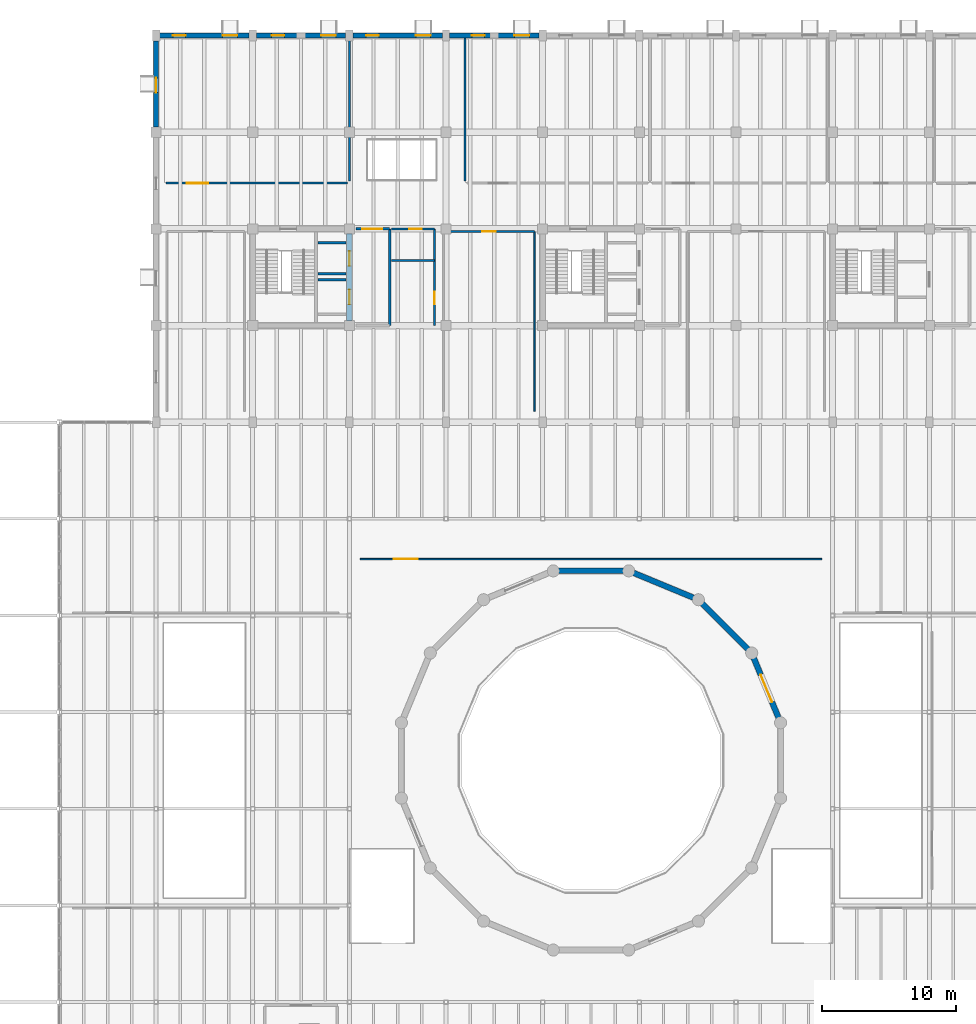
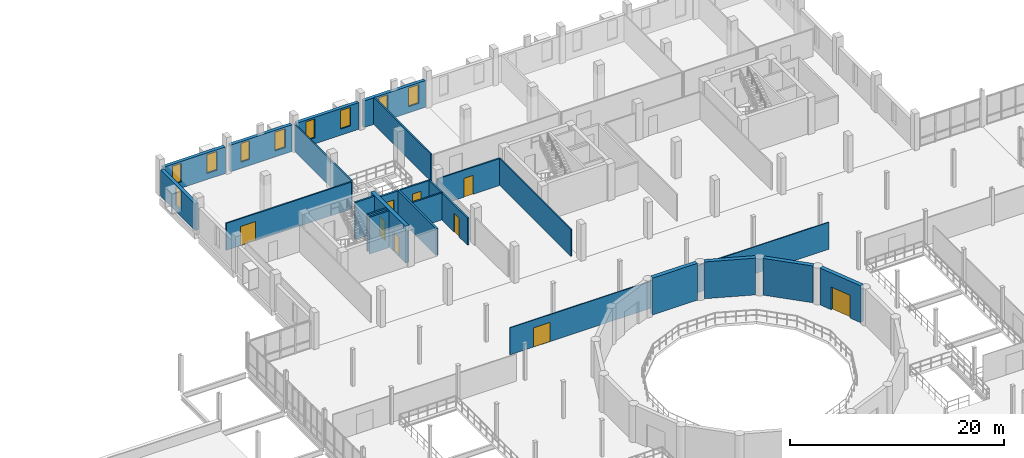
# One storey, part 60 of 72: 24 walls, 9 doors, 9 windows, 18 openings.
"""IFC4 building model written with IfcOpenShell, lengths in metres."""

from ifc_helpers import new_model, si_unit, direction, frame, frame_2d, origin, place, context, subcontext, project, spatial, rectangle, extrude, material, layer, layer_set, type_object, element, fill, save


model = new_model("IFC4")

# Units and contexts
model_context = context("Model", 3, precision=1e-05, world=origin(), true_north=direction((0.0, 1.0)))
body_context = subcontext(model_context, "Body", "Model", "MODEL_VIEW")
ifc_project = project(units=[si_unit("LENGTHUNIT", "METRE"), si_unit("AREAUNIT", "SQUARE_METRE"), si_unit("VOLUMEUNIT", "CUBIC_METRE"), si_unit("PLANEANGLEUNIT", "RADIAN"), si_unit("MASSUNIT", "GRAM", prefix="KILO")], contexts=[model_context])

# Site, building, storey
site_placement = place(None, origin())
site = spatial("IfcSite", under=ifc_project, at=site_placement, CompositionType="ELEMENT")
building_placement = place(site_placement, origin())
building = spatial("IfcBuilding", under=site, at=building_placement, Name="Qiaolan Assembly House", CompositionType="ELEMENT")
storey_placement = place(building_placement, frame((0.0, 0.0, 10.199951171875)))
storey = spatial("IfcBuildingStorey", under=building, at=storey_placement, Name="L02", CompositionType="ELEMENT", Elevation=10.199951171875)

# Wall, openings, doors
ifc_material_1 = material(Name="Concrete C45/55", Category="concrete")
ifc_layer_1 = layer(ifc_material_1, 0.39990234375)
ifc_layer_set_1 = layer_set([ifc_layer_1], Name="Concrete C45/55")
wall_type_1 = type_object("IfcWallType", Name="WAL-CORE-400", PredefinedType="SHEAR", material=ifc_layer_set_1)
wall_1_placement = place(storey_placement, frame((50.39990234375, 93.949951171875, 0.0), z_axis=(0.0, 0.0, 1.0), x_axis=(0.0, 1.0, 0.0)))
wall_1 = element("IfcWall", 1, at=wall_1_placement, inside=storey, type_object=wall_type_1, Name="CW-400 shear core wall CORE-A E L02", PredefinedType="SHEAR", context=body_context, shape_type="SweptSolid", body=[
    extrude(rectangle(XDim=6.5, YDim=0.39990234375, at=frame_2d((3.25, 0.0))), origin(), (0.0, 0.0, 1.0), 4.199951171875),
])
opening_1_placement = place(wall_1_placement, frame((1.22509765625, 0.0, 0.0)))
opening_1 = element("IfcOpeningElement", 2, at=opening_1_placement, cuts=wall_1, Name="Opening LD-004", PredefinedType="OPENING", context=body_context, shape_type="SweptSolid", body=[
    extrude(rectangle(XDim=1.10009765625, YDim=2.199951171875, at=frame_2d((0.550048828125, 1.10009765625))), frame((0.0, 0.2099609375, 0.0), z_axis=(0.0, -1.0, 0.0), x_axis=(1.0, 0.0, 0.0)), (0.0, 0.0, 1.0), 0.419921875),
])
opening_2_placement = place(wall_1_placement, frame((4.10009765625, 0.0, 0.0)))
opening_2 = element("IfcOpeningElement", 3, at=opening_2_placement, cuts=wall_1, Name="Opening LD-013", PredefinedType="OPENING", context=body_context, shape_type="SweptSolid", body=[
    extrude(rectangle(XDim=1.10009765625, YDim=2.199951171875, at=frame_2d((0.550048828125, 1.10009765625))), frame((0.0, 0.2099609375, 0.0), z_axis=(0.0, -1.0, 0.0), x_axis=(1.0, 0.0, 0.0)), (0.0, 0.0, 1.0), 0.419921875),
])
ifc_material_2 = material(Name="Anodised bronze aluminium", Category="aluminium")
door_type_1 = type_object("IfcDoorType", Name="DOR-LIFT-LD1100", OperationType="SLIDING_TO_LEFT", PredefinedType="DOOR", material=ifc_material_2)
door_1_placement = place(opening_1_placement, origin())
door_1 = element("IfcDoor", 4, at=door_1_placement, inside=storey, type_object=door_type_1, Name="Lift landing door LD-004 (LF-01 L02)", OperationType="SLIDING_TO_LEFT", OverallHeight=2.199951171875, OverallWidth=1.10009765625, PredefinedType="DOOR", context=body_context, shape_type="SweptSolid", body=[
    extrude(rectangle(XDim=1.10009765625, YDim=2.199951171875, at=frame_2d((0.550048828125, 1.10009765625))), frame((0.0, 0.02490234375, 0.0), z_axis=(0.0, -1.0, 0.0), x_axis=(1.0, 0.0, 0.0)), (0.0, 0.0, 1.0), 0.050048828125),
])
fill(opening_1, door_1)
door_2_placement = place(opening_2_placement, origin())
door_2 = element("IfcDoor", 5, at=door_2_placement, inside=storey, type_object=door_type_1, Name="Lift landing door LD-013 (LF-02 L02)", OperationType="SLIDING_TO_LEFT", OverallHeight=2.199951171875, OverallWidth=1.10009765625, PredefinedType="DOOR", context=body_context, shape_type="SweptSolid", body=[
    extrude(rectangle(XDim=1.10009765625, YDim=2.199951171875, at=frame_2d((0.550048828125, 1.10009765625))), frame((0.0, 0.02490234375, 0.0), z_axis=(0.0, -1.0, 0.0), x_axis=(1.0, 0.0, 0.0)), (0.0, 0.0, 1.0), 0.050048828125),
])
fill(opening_2, door_2)

# Wall, opening, door
ifc_material_3 = material(Name="Concrete C50/60", Category="concrete")
ifc_layer_2 = layer(ifc_material_3, 0.419921875)
ifc_layer_set_2 = layer_set([ifc_layer_2], Name="Concrete C50/60")
wall_type_2 = type_object("IfcWallType", Name="WAL-DRUM-420", PredefinedType="SHEAR", material=ifc_layer_set_2)
wall_2_placement = place(storey_placement, frame((80.526123046875, 68.83056640625, 0.0), z_axis=(0.0, 0.0, 1.0), x_axis=(0.382693375129, -0.923875414021, 0.0)))
wall_2 = element("IfcWall", 6, at=wall_2_placement, inside=storey, type_object=wall_type_2, Name="DW-420 council chamber drum wall 1 L02", PredefinedType="SHEAR", context=body_context, shape_type="SweptSolid", body=[
    extrude(rectangle(XDim=4.818359375, YDim=0.419921875, at=frame_2d((2.4091796875, 0.0))), origin(), (0.0, 0.0, 1.0), 4.199951171875),
])
opening_3_placement = place(wall_2_placement, frame((1.35009765625, 0.0, 0.0)))
opening_3 = element("IfcOpeningElement", 7, at=opening_3_placement, cuts=wall_2, Name="Opening CD-144", PredefinedType="OPENING", context=body_context, shape_type="SweptSolid", body=[
    extrude(rectangle(XDim=2.199951171875, YDim=2.60009765625, at=frame_2d((1.10009765625, 1.300048828125))), frame((0.0, 0.219970703125, 0.0), z_axis=(0.0, -1.0, 0.0), x_axis=(1.0, 0.0, 0.0)), (0.0, 0.0, 1.0), 0.43994140625),
])
ifc_material_4 = material(Name="Acoustic oak panelling")
door_type_2 = type_object("IfcDoorType", Name="DOR-CHAMBER-2200", OperationType="DOUBLE_DOOR_SINGLE_SWING", PredefinedType="DOOR", material=ifc_material_4)
door_3_placement = place(opening_3_placement, origin())
door_3 = element("IfcDoor", 8, at=door_3_placement, inside=storey, type_object=door_type_2, Name="Council Chamber ceremonial acoustic door CD-144", OperationType="DOUBLE_DOOR_SINGLE_SWING", OverallHeight=2.60009765625, OverallWidth=2.199951171875, PredefinedType="DOOR", context=body_context, shape_type="SweptSolid", body=[
    extrude(rectangle(XDim=2.199951171875, YDim=2.60009765625, at=frame_2d((1.10009765625, 1.300048828125))), frame((0.0, 0.02490234375, 0.0), z_axis=(0.0, -1.0, 0.0), x_axis=(1.0, 0.0, 0.0)), (0.0, 0.0, 1.0), 0.050048828125),
])
fill(opening_3, door_3)

# Walls
for number, where, z_axis, x_axis, name in (
    (9, (76.68310546875, 72.890380859375, 0.0), (0.0, 0.0, 1.0), (0.707106781187, -0.707106781187, 0.0), "DW-420 council chamber drum wall 2 L02"),
    (10, (71.578857421875, 75.170166015625, 0.0), (0.0, 0.0, 1.0), (0.923882834003, -0.382675461762, 0.0), "DW-420 council chamber drum wall 3 L02"),
    (11, (65.99072265625, 75.3232421875, 0.0), (0.0, 0.0, 1.0), (1.0, 0.0, 0.0), "DW-420 council chamber drum wall 4 L02"),
):
    element("IfcWall", number, at=place(storey_placement, frame(where, z_axis=z_axis, x_axis=x_axis)), inside=storey, type_object=wall_type_2, Name=name, PredefinedType="SHEAR", context=body_context, shape_type="SweptSolid", body=[
        extrude(rectangle(XDim=4.818603515625, YDim=0.419921875, at=frame_2d((2.4091796875, 0.0))), origin(), (0.0, 0.0, 1.0), 4.199951171875),
    ])

# Wall, openings, windows
ifc_material_5 = material(Name="Honed pale limestone", Category="masonry")
ifc_layer_3 = layer(ifc_material_5, 0.360107421875)
ifc_layer_set_3 = layer_set([ifc_layer_3], Name="Honed pale limestone")
wall_type_3 = type_object("IfcWallType", Name="WAL-EXT-LIMESTONE-360", PredefinedType="SOLIDWALL", material=ifc_layer_set_3)
wall_3_placement = place(storey_placement, frame((42.927001953125, 115.199951171875, 0.0), z_axis=(0.0, 0.0, 1.0), x_axis=(-1.0, 0.0, 0.0)))
wall_3 = element("IfcWall", 12, at=wall_3_placement, inside=storey, type_object=wall_type_3, Name="EW-360 NW North street wall L02 bay 1", PredefinedType="SOLIDWALL", context=body_context, shape_type="SweptSolid", body=[
    extrude(rectangle(XDim=6.654052734375, YDim=0.360107421875, at=frame_2d((3.3271484375, 0.0))), origin(), (0.0, 0.0, 1.0), 3.0400390625),
])
opening_4_placement = place(wall_3_placement, frame((0.876953125, 0.0, 0.699951171875)))
opening_4 = element("IfcOpeningElement", 13, at=opening_4_placement, cuts=wall_3, Name="Opening WN-042", PredefinedType="OPENING", context=body_context, shape_type="SweptSolid", body=[
    extrude(rectangle(XDim=1.10009765625, YDim=2.139892578125, at=frame_2d((0.550048828125, 1.06982421875))), frame((0.0, 0.18994140625, 0.0), z_axis=(0.0, -1.0, 0.0), x_axis=(1.0, 0.0, 0.0)), (0.0, 0.0, 1.0), 0.380126953125),
])
opening_5_placement = place(wall_3_placement, frame((4.72705078125, 0.0, 0.699951171875)))
opening_5 = element("IfcOpeningElement", 14, at=opening_5_placement, cuts=wall_3, Name="Opening WN-043", PredefinedType="OPENING", context=body_context, shape_type="SweptSolid", body=[
    extrude(rectangle(XDim=0.949951171875, YDim=2.139892578125, at=frame_2d((0.47509765625, 1.06982421875))), frame((0.0, 0.18994140625, 0.0), z_axis=(0.0, -1.0, 0.0), x_axis=(1.0, 0.0, 0.0)), (0.0, 0.0, 1.0), 0.380126953125),
])
ifc_material_6 = material(Name="Low-E double insulating glass", Category="glass")
window_type_1 = type_object("IfcWindowType", Name="WIN-BOX-1100x2600", PartitioningType="SINGLE_PANEL", PredefinedType="WINDOW", material=ifc_material_6)
window_1_placement = place(opening_4_placement, origin())
window_1 = element("IfcWindow", 15, at=window_1_placement, inside=storey, type_object=window_type_1, Name="WN-T02 window WN-042", OverallHeight=2.139892578125, OverallWidth=1.10009765625, PartitioningType="SINGLE_PANEL", PredefinedType="WINDOW", context=body_context, shape_type="SweptSolid", body=[
    extrude(rectangle(XDim=1.10009765625, YDim=2.139892578125, at=frame_2d((0.550048828125, 1.06982421875))), frame((0.0, 0.030029296875, 0.0), z_axis=(0.0, -1.0, 0.0), x_axis=(1.0, 0.0, 0.0)), (0.0, 0.0, 1.0), 0.06005859375),
])
fill(opening_4, window_1)
window_type_2 = type_object("IfcWindowType", Name="WIN-PUNCH-950x2400", PartitioningType="SINGLE_PANEL", PredefinedType="WINDOW", material=ifc_material_6)
window_2_placement = place(opening_5_placement, origin())
window_2 = element("IfcWindow", 16, at=window_2_placement, inside=storey, type_object=window_type_2, Name="WN-T06 window WN-043", OverallHeight=2.139892578125, OverallWidth=0.949951171875, PartitioningType="SINGLE_PANEL", PredefinedType="WINDOW", context=body_context, shape_type="SweptSolid", body=[
    extrude(rectangle(XDim=0.949951171875, YDim=2.139892578125, at=frame_2d((0.47509765625, 1.06982421875))), frame((0.0, 0.030029296875, 0.0), z_axis=(0.0, -1.0, 0.0), x_axis=(1.0, 0.0, 0.0)), (0.0, 0.0, 1.0), 0.06005859375),
])
fill(opening_5, window_2)

wall_4_placement = place(storey_placement, frame((50.126953125, 115.199951171875, 0.0), z_axis=(0.0, 0.0, 1.0), x_axis=(-1.0, 0.0, 0.0)))
wall_4 = element("IfcWall", 17, at=wall_4_placement, inside=storey, type_object=wall_type_3, Name="EW-360 NW North street wall L02 bay 2", PredefinedType="SOLIDWALL", context=body_context, shape_type="SweptSolid", body=[
    extrude(rectangle(XDim=6.654052734375, YDim=0.360107421875, at=frame_2d((3.3271484375, 0.0))), origin(), (0.0, 0.0, 1.0), 3.0400390625),
])
opening_6_placement = place(wall_4_placement, frame((0.72705078125, 0.0, 0.699951171875)))
opening_6 = element("IfcOpeningElement", 18, at=opening_6_placement, cuts=wall_4, Name="Opening WN-044", PredefinedType="OPENING", context=body_context, shape_type="SweptSolid", body=[
    extrude(rectangle(XDim=1.10009765625, YDim=2.139892578125, at=frame_2d((0.550048828125, 1.06982421875))), frame((0.0, 0.18994140625, 0.0), z_axis=(0.0, -1.0, 0.0), x_axis=(1.0, 0.0, 0.0)), (0.0, 0.0, 1.0), 0.380126953125),
])
opening_7_placement = place(wall_4_placement, frame((4.576904296875, 0.0, 0.699951171875)))
opening_7 = element("IfcOpeningElement", 19, at=opening_7_placement, cuts=wall_4, Name="Opening WN-045", PredefinedType="OPENING", context=body_context, shape_type="SweptSolid", body=[
    extrude(rectangle(XDim=0.949951171875, YDim=2.139892578125, at=frame_2d((0.47509765625, 1.06982421875))), frame((0.0, 0.18994140625, 0.0), z_axis=(0.0, -1.0, 0.0), x_axis=(1.0, 0.0, 0.0)), (0.0, 0.0, 1.0), 0.380126953125),
])
window_3_placement = place(opening_6_placement, origin())
window_3 = element("IfcWindow", 20, at=window_3_placement, inside=storey, type_object=window_type_1, Name="WN-T02 window WN-044", OverallHeight=2.139892578125, OverallWidth=1.10009765625, PartitioningType="SINGLE_PANEL", PredefinedType="WINDOW", context=body_context, shape_type="SweptSolid", body=[
    extrude(rectangle(XDim=1.10009765625, YDim=2.139892578125, at=frame_2d((0.550048828125, 1.06982421875))), frame((0.0, 0.030029296875, 0.0), z_axis=(0.0, -1.0, 0.0), x_axis=(1.0, 0.0, 0.0)), (0.0, 0.0, 1.0), 0.06005859375),
])
fill(opening_6, window_3)
window_4_placement = place(opening_7_placement, origin())
window_4 = element("IfcWindow", 21, at=window_4_placement, inside=storey, type_object=window_type_2, Name="WN-T06 window WN-045", OverallHeight=2.139892578125, OverallWidth=0.949951171875, PartitioningType="SINGLE_PANEL", PredefinedType="WINDOW", context=body_context, shape_type="SweptSolid", body=[
    extrude(rectangle(XDim=0.949951171875, YDim=2.139892578125, at=frame_2d((0.47509765625, 1.06982421875))), frame((0.0, 0.030029296875, 0.0), z_axis=(0.0, -1.0, 0.0), x_axis=(1.0, 0.0, 0.0)), (0.0, 0.0, 1.0), 0.06005859375),
])
fill(opening_7, window_4)

wall_5_placement = place(storey_placement, frame((57.326904296875, 115.199951171875, 0.0), z_axis=(0.0, 0.0, 1.0), x_axis=(-1.0, 0.0, 0.0)))
wall_5 = element("IfcWall", 22, at=wall_5_placement, inside=storey, type_object=wall_type_3, Name="EW-360 NW North street wall L02 bay 3", PredefinedType="SOLIDWALL", context=body_context, shape_type="SweptSolid", body=[
    extrude(rectangle(XDim=6.65380859375, YDim=0.360107421875, at=frame_2d((3.326904296875, 0.0))), origin(), (0.0, 0.0, 1.0), 3.0400390625),
])
opening_8_placement = place(wall_5_placement, frame((0.876953125, 0.0, 0.699951171875)))
opening_8 = element("IfcOpeningElement", 23, at=opening_8_placement, cuts=wall_5, Name="Opening WN-046", PredefinedType="OPENING", context=body_context, shape_type="SweptSolid", body=[
    extrude(rectangle(XDim=1.10009765625, YDim=2.139892578125, at=frame_2d((0.550048828125, 1.06982421875))), frame((0.0, 0.18994140625, 0.0), z_axis=(0.0, -1.0, 0.0), x_axis=(1.0, 0.0, 0.0)), (0.0, 0.0, 1.0), 0.380126953125),
])
opening_9_placement = place(wall_5_placement, frame((4.72705078125, 0.0, 0.699951171875)))
opening_9 = element("IfcOpeningElement", 24, at=opening_9_placement, cuts=wall_5, Name="Opening WN-047", PredefinedType="OPENING", context=body_context, shape_type="SweptSolid", body=[
    extrude(rectangle(XDim=0.949951171875, YDim=2.139892578125, at=frame_2d((0.47509765625, 1.06982421875))), frame((0.0, 0.18994140625, 0.0), z_axis=(0.0, -1.0, 0.0), x_axis=(1.0, 0.0, 0.0)), (0.0, 0.0, 1.0), 0.380126953125),
])
window_5_placement = place(opening_8_placement, origin())
window_5 = element("IfcWindow", 25, at=window_5_placement, inside=storey, type_object=window_type_1, Name="WN-T02 window WN-046", OverallHeight=2.139892578125, OverallWidth=1.10009765625, PartitioningType="SINGLE_PANEL", PredefinedType="WINDOW", context=body_context, shape_type="SweptSolid", body=[
    extrude(rectangle(XDim=1.10009765625, YDim=2.139892578125, at=frame_2d((0.550048828125, 1.06982421875))), frame((0.0, 0.030029296875, 0.0), z_axis=(0.0, -1.0, 0.0), x_axis=(1.0, 0.0, 0.0)), (0.0, 0.0, 1.0), 0.06005859375),
])
fill(opening_8, window_5)
window_6_placement = place(opening_9_placement, origin())
window_6 = element("IfcWindow", 26, at=window_6_placement, inside=storey, type_object=window_type_2, Name="WN-T06 window WN-047", OverallHeight=2.139892578125, OverallWidth=0.949951171875, PartitioningType="SINGLE_PANEL", PredefinedType="WINDOW", context=body_context, shape_type="SweptSolid", body=[
    extrude(rectangle(XDim=0.949951171875, YDim=2.139892578125, at=frame_2d((0.47509765625, 1.06982421875))), frame((0.0, 0.030029296875, 0.0), z_axis=(0.0, -1.0, 0.0), x_axis=(1.0, 0.0, 0.0)), (0.0, 0.0, 1.0), 0.06005859375),
])
fill(opening_9, window_6)

wall_6_placement = place(storey_placement, frame((64.527099609375, 115.199951171875, 0.0), z_axis=(0.0, 0.0, 1.0), x_axis=(-1.0, 0.0, 0.0)))
wall_6 = element("IfcWall", 27, at=wall_6_placement, inside=storey, type_object=wall_type_3, Name="EW-360 NW North street wall L02 bay 4", PredefinedType="SOLIDWALL", context=body_context, shape_type="SweptSolid", body=[
    extrude(rectangle(XDim=6.654052734375, YDim=0.360107421875, at=frame_2d((3.3271484375, 0.0))), origin(), (0.0, 0.0, 1.0), 3.0400390625),
])
opening_10_placement = place(wall_6_placement, frame((0.72705078125, 0.0, 0.699951171875)))
opening_10 = element("IfcOpeningElement", 28, at=opening_10_placement, cuts=wall_6, Name="Opening WN-048", PredefinedType="OPENING", context=body_context, shape_type="SweptSolid", body=[
    extrude(rectangle(XDim=1.10009765625, YDim=2.139892578125, at=frame_2d((0.550048828125, 1.06982421875))), frame((0.0, 0.18994140625, 0.0), z_axis=(0.0, -1.0, 0.0), x_axis=(1.0, 0.0, 0.0)), (0.0, 0.0, 1.0), 0.380126953125),
])
opening_11_placement = place(wall_6_placement, frame((4.056884765625, 0.0, 0.699951171875)))
opening_11 = element("IfcOpeningElement", 29, at=opening_11_placement, cuts=wall_6, Name="Opening WN-049", PredefinedType="OPENING", context=body_context, shape_type="SweptSolid", body=[
    extrude(rectangle(XDim=0.949951171875, YDim=2.139892578125, at=frame_2d((0.47509765625, 1.06982421875))), frame((0.0, 0.18994140625, 0.0), z_axis=(0.0, -1.0, 0.0), x_axis=(1.0, 0.0, 0.0)), (0.0, 0.0, 1.0), 0.380126953125),
])
window_7_placement = place(opening_10_placement, origin())
window_7 = element("IfcWindow", 30, at=window_7_placement, inside=storey, type_object=window_type_1, Name="WN-T02 window WN-048", OverallHeight=2.139892578125, OverallWidth=1.10009765625, PartitioningType="SINGLE_PANEL", PredefinedType="WINDOW", context=body_context, shape_type="SweptSolid", body=[
    extrude(rectangle(XDim=1.10009765625, YDim=2.139892578125, at=frame_2d((0.550048828125, 1.06982421875))), frame((0.0, 0.030029296875, 0.0), z_axis=(0.0, -1.0, 0.0), x_axis=(1.0, 0.0, 0.0)), (0.0, 0.0, 1.0), 0.06005859375),
])
fill(opening_10, window_7)
window_8_placement = place(opening_11_placement, origin())
window_8 = element("IfcWindow", 31, at=window_8_placement, inside=storey, type_object=window_type_2, Name="WN-T06 window WN-049", OverallHeight=2.139892578125, OverallWidth=0.949951171875, PartitioningType="SINGLE_PANEL", PredefinedType="WINDOW", context=body_context, shape_type="SweptSolid", body=[
    extrude(rectangle(XDim=0.949951171875, YDim=2.139892578125, at=frame_2d((0.47509765625, 1.06982421875))), frame((0.0, 0.030029296875, 0.0), z_axis=(0.0, -1.0, 0.0), x_axis=(1.0, 0.0, 0.0)), (0.0, 0.0, 1.0), 0.06005859375),
])
fill(opening_11, window_8)

# Wall, opening, window
wall_7_placement = place(storey_placement, frame((36.0, 108.373046875, 0.0), z_axis=(0.0, 0.0, 1.0), x_axis=(0.0, 1.0, 0.0)))
wall_7 = element("IfcWall", 32, at=wall_7_placement, inside=storey, type_object=wall_type_3, Name="NW West avenue wall L02-4", PredefinedType="SOLIDWALL", context=body_context, shape_type="SweptSolid", body=[
    extrude(rectangle(XDim=6.428955078125, YDim=0.360107421875, at=frame_2d((3.21435546875, 0.0))), origin(), (0.0, 0.0, 1.0), 3.0400390625),
])
opening_12_placement = place(wall_7_placement, frame((2.576904296875, 0.0, 0.699951171875)))
opening_12 = element("IfcOpeningElement", 33, at=opening_12_placement, cuts=wall_7, Name="Opening WN-066", PredefinedType="OPENING", context=body_context, shape_type="SweptSolid", body=[
    extrude(rectangle(XDim=1.10009765625, YDim=2.18994140625, at=frame_2d((0.550048828125, 1.094970703125))), frame((0.0, 0.18994140625, 0.0), z_axis=(0.0, -1.0, 0.0), x_axis=(1.0, 0.0, 0.0)), (0.0, 0.0, 1.0), 0.380126953125),
])
window_type_3 = type_object("IfcWindowType", Name="WIN-BOX-1100x2350", PartitioningType="SINGLE_PANEL", PredefinedType="WINDOW", material=ifc_material_6)
window_9_placement = place(opening_12_placement, origin())
window_9 = element("IfcWindow", 34, at=window_9_placement, inside=storey, type_object=window_type_3, Name="NW West window WN-066", OverallHeight=2.18994140625, OverallWidth=1.10009765625, PartitioningType="SINGLE_PANEL", PredefinedType="WINDOW", context=body_context, shape_type="SweptSolid", body=[
    extrude(rectangle(XDim=1.10009765625, YDim=2.18994140625, at=frame_2d((0.550048828125, 1.094970703125))), frame((0.0, 0.030029296875, 0.0), z_axis=(0.0, -1.0, 0.0), x_axis=(1.0, 0.0, 0.0)), (0.0, 0.0, 1.0), 0.06005859375),
])
fill(opening_12, window_9)

# Wall
ifc_material_7 = material(Name="Concrete C35/45", Category="concrete")
ifc_layer_4 = layer(ifc_material_7, 0.199951171875)
ifc_layer_set_4 = layer_set([ifc_layer_4], Name="Concrete C35/45")
wall_type_4 = type_object("IfcWallType", Name="WAL-LOBBY-200", PredefinedType="PARTITIONING", material=ifc_layer_set_4)
wall_8_placement = place(storey_placement, frame((53.39990234375, 93.60009765625, 0.0), z_axis=(0.0, 0.0, 1.0), x_axis=(0.0, 1.0, 0.0)))
element("IfcWall", 35, at=wall_8_placement, inside=storey, type_object=wall_type_4, Name="Firefighting lift lobby east wall CORE-A L02", PredefinedType="PARTITIONING", context=body_context, shape_type="SweptSolid", body=[
    extrude(rectangle(XDim=7.199951171875, YDim=0.199951171875, at=frame_2d((3.60009765625, 0.0))), origin(), (0.0, 0.0, 1.0), 3.080078125),
])

# Wall, opening, door
wall_9_placement = place(storey_placement, frame((53.39990234375, 100.800048828125, 0.0), z_axis=(0.0, 0.0, 1.0), x_axis=(-1.0, 0.0, 0.0)))
wall_9 = element("IfcWall", 36, at=wall_9_placement, inside=storey, type_object=wall_type_4, Name="Firefighting lift lobby north wall CORE-A L02", PredefinedType="PARTITIONING", context=body_context, shape_type="SweptSolid", body=[
    extrude(rectangle(XDim=2.52001953125, YDim=0.199951171875, at=frame_2d((1.260009765625, 0.0))), origin(), (0.0, 0.0, 1.0), 3.080078125),
])
opening_13_placement = place(wall_9_placement, frame((0.550048828125, 0.0, 0.0)))
opening_13 = element("IfcOpeningElement", 37, at=opening_13_placement, cuts=wall_9, Name="Opening FD-012", PredefinedType="OPENING", context=body_context, shape_type="SweptSolid", body=[
    extrude(rectangle(XDim=1.5, YDim=2.199951171875, at=frame_2d((0.75, 1.10009765625))), frame((0.0, 0.10986328125, 0.0), z_axis=(0.0, -1.0, 0.0), x_axis=(1.0, 0.0, 0.0)), (0.0, 0.0, 1.0), 0.219970703125),
])
door_type_3 = type_object("IfcDoorType", Name="DOR-LOBBY-FD60-1500", OperationType="DOUBLE_DOOR_SINGLE_SWING", PredefinedType="DOOR", material=ifc_material_4)
door_4_placement = place(opening_13_placement, frame((1.5, 0.0, 0.0), z_axis=(0.0, 0.0, 1.0), x_axis=(-1.0, 0.0, 0.0)))
door_4 = element("IfcDoor", 38, at=door_4_placement, inside=storey, type_object=door_type_3, Name="Lobby corridor fire door FD-012", OperationType="DOUBLE_DOOR_SINGLE_SWING", OverallHeight=2.199951171875, OverallWidth=1.5, PredefinedType="DOOR", context=body_context, shape_type="SweptSolid", body=[
    extrude(rectangle(XDim=1.5, YDim=2.199951171875, at=frame_2d((0.75, 1.10009765625))), frame((0.0, 0.02490234375, 0.0), z_axis=(0.0, -1.0, 0.0), x_axis=(1.0, 0.0, 0.0)), (0.0, 0.0, 1.0), 0.050048828125),
])
fill(opening_13, door_4)

# Wall
ifc_material_8 = material(Name="Gypsum plasterboard partition")
ifc_layer_5 = layer(ifc_material_8, 0.1201171875)
ifc_layer_set_5 = layer_set([ifc_layer_5], Name="Gypsum plasterboard partition")
wall_type_5 = type_object("IfcWallType", Name="WAL-PART-120", PredefinedType="PARTITIONING", material=ifc_layer_set_5)
wall_10_placement = place(storey_placement, frame((64.199951171875, 100.60009765625, 0.0), z_axis=(0.0, 0.0, 1.0), x_axis=(0.0, -1.0, 0.0)))
element("IfcWall", 39, at=wall_10_placement, inside=storey, type_object=wall_type_5, Name="Sub-Committee Caucus Room B east wall", PredefinedType="PARTITIONING", context=body_context, shape_type="SweptSolid", body=[
    extrude(rectangle(XDim=13.400146484375, YDim=0.1201171875, at=frame_2d((6.7001953125, 0.0))), origin(), (0.0, 0.0, 1.0), 3.080078125),
])

# Wall, opening, door
ifc_layer_6 = layer(ifc_material_8, 0.14990234375)
ifc_layer_set_6 = layer_set([ifc_layer_6], Name="Gypsum plasterboard partition")
wall_type_6 = type_object("IfcWallType", Name="WAL-PART-150", PredefinedType="PARTITIONING", material=ifc_layer_set_6)
wall_11_placement = place(storey_placement, frame((36.75, 104.199951171875, 0.0), z_axis=(0.0, 0.0, 1.0), x_axis=(1.0, 0.0, 0.0)))
wall_11 = element("IfcWall", 40, at=wall_11_placement, inside=storey, type_object=wall_type_6, Name="Committee Room 3 — Transport & Infrastructure corridor wall", PredefinedType="PARTITIONING", context=body_context, shape_type="SweptSolid", body=[
    extrude(rectangle(XDim=13.5, YDim=0.14990234375, at=frame_2d((6.75, 0.0))), origin(), (0.0, 0.0, 1.0), 3.080078125),
])
opening_14_placement = place(wall_11_placement, frame((1.550048828125, 0.0, 0.0)))
opening_14 = element("IfcOpeningElement", 41, at=opening_14_placement, cuts=wall_11, Name="Opening ND-191", PredefinedType="OPENING", context=body_context, shape_type="SweptSolid", body=[
    extrude(rectangle(XDim=1.60009765625, YDim=2.199951171875, at=frame_2d((0.800048828125, 1.10009765625))), frame((0.0, 0.0849609375, 0.0), z_axis=(0.0, -1.0, 0.0), x_axis=(1.0, 0.0, 0.0)), (0.0, 0.0, 1.0), 0.169921875),
])
door_type_4 = type_object("IfcDoorType", Name="DOR-COMM-DBL-1600", OperationType="DOUBLE_DOOR_SINGLE_SWING", PredefinedType="DOOR", material=ifc_material_4)
door_5_placement = place(opening_14_placement, origin())
door_5 = element("IfcDoor", 42, at=door_5_placement, inside=storey, type_object=door_type_4, Name="Committee Room 3 — Transport & Infrastructure door ND-191", OperationType="DOUBLE_DOOR_SINGLE_SWING", OverallHeight=2.199951171875, OverallWidth=1.60009765625, PredefinedType="DOOR", context=body_context, shape_type="SweptSolid", body=[
    extrude(rectangle(XDim=1.60009765625, YDim=2.199951171875, at=frame_2d((0.800048828125, 1.10009765625))), frame((0.0, 0.02490234375, 0.0), z_axis=(0.0, -1.0, 0.0), x_axis=(1.0, 0.0, 0.0)), (0.0, 0.0, 1.0), 0.050048828125),
])
fill(opening_14, door_5)

# Walls
for number, where, z_axis, x_axis, name in (
    (43, (59.0, 104.35009765625, 0.0), (0.0, 0.0, 1.0), (0.0, 1.0, 0.0), "Committee Room 4 — Ecology & Yangtze Basin west wall"),
    (44, (50.39990234375, 104.35009765625, 0.0), (0.0, 0.0, 1.0), (0.0, 1.0, 0.0), "Lightwell east wall"),
):
    element("IfcWall", number, at=place(storey_placement, frame(where, z_axis=z_axis, x_axis=x_axis)), inside=storey, type_object=wall_type_6, Name=name, PredefinedType="PARTITIONING", context=body_context, shape_type="SweptSolid", body=[
        extrude(rectangle(XDim=10.669921875, YDim=0.14990234375, at=frame_2d((5.3349609375, 0.0))), origin(), (0.0, 0.0, 1.0), 3.080078125),
    ])

# Wall, opening, door
wall_12_placement = place(storey_placement, frame((64.199951171875, 100.60009765625, 0.0), z_axis=(0.0, 0.0, 1.0), x_axis=(-1.0, 0.0, 0.0)))
wall_12 = element("IfcWall", 45, at=wall_12_placement, inside=storey, type_object=wall_type_6, Name="Sub-Committee Caucus Room B corridor wall", PredefinedType="PARTITIONING", context=body_context, shape_type="SweptSolid", body=[
    extrude(rectangle(XDim=6.800048828125, YDim=0.14990234375, at=frame_2d((3.39990234375, 0.0))), origin(), (0.0, 0.0, 1.0), 3.080078125),
])
opening_15_placement = place(wall_12_placement, frame((2.89990234375, 0.0, 0.0)))
opening_15 = element("IfcOpeningElement", 46, at=opening_15_placement, cuts=wall_12, Name="Opening SD-197", PredefinedType="OPENING", context=body_context, shape_type="SweptSolid", body=[
    extrude(rectangle(XDim=1.0, YDim=2.14990234375, at=frame_2d((0.5, 1.074951171875))), frame((0.0, 0.0849609375, 0.0), z_axis=(0.0, -1.0, 0.0), x_axis=(1.0, 0.0, 0.0)), (0.0, 0.0, 1.0), 0.169921875),
])
door_type_5 = type_object("IfcDoorType", Name="DOR-OFF-SGL-1000", OperationType="NOTDEFINED", PredefinedType="DOOR", material=ifc_material_4)
door_6_placement = place(opening_15_placement, origin())
door_6 = element("IfcDoor", 47, at=door_6_placement, inside=storey, type_object=door_type_5, Name="Sub-Committee Caucus Room B door SD-197", OperationType="SINGLE_SWING_LEFT", OverallHeight=2.14990234375, OverallWidth=1.0, PredefinedType="DOOR", context=body_context, shape_type="SweptSolid", body=[
    extrude(rectangle(XDim=1.0, YDim=2.14990234375, at=frame_2d((0.5, 1.074951171875))), frame((0.0, 0.02490234375, 0.0), z_axis=(0.0, -1.0, 0.0), x_axis=(1.0, 0.0, 0.0)), (0.0, 0.0, 1.0), 0.050048828125),
])
fill(opening_15, door_6)

ifc_layer_7 = layer(ifc_material_6, 0.10498046875)
ifc_layer_set_7 = layer_set([ifc_layer_7], Name="Low-E double insulating glass")
wall_type_7 = type_object("IfcWallType", Name="WAL-PART-GLAZED-120", PredefinedType="PARTITIONING", material=ifc_layer_set_7)
wall_13_placement = place(storey_placement, frame((51.199951171875, 76.199951171875, 0.0), z_axis=(0.0, 0.0, 1.0), x_axis=(1.0, 0.0, 0.0)))
wall_13 = element("IfcWall", 48, at=wall_13_placement, inside=storey, type_object=wall_type_7, Name="Metropolitan Masterplan Model Exhibition Hall glazed partition", PredefinedType="PARTITIONING", context=body_context, shape_type="SweptSolid", body=[
    extrude(rectangle(XDim=34.400146484375, YDim=0.10498046875, at=frame_2d((17.2001953125, 0.0))), origin(), (0.0, 0.0, 1.0), 3.080078125),
])
opening_16_placement = place(wall_13_placement, frame((2.5, 0.0, 0.0)))
opening_16 = element("IfcOpeningElement", 49, at=opening_16_placement, cuts=wall_13, Name="Opening GD-166", PredefinedType="OPENING", context=body_context, shape_type="SweptSolid", body=[
    extrude(rectangle(XDim=1.800048828125, YDim=2.199951171875, at=frame_2d((0.89990234375, 1.10009765625))), frame((0.0, 0.0625, 0.0), z_axis=(0.0, -1.0, 0.0), x_axis=(1.0, 0.0, 0.0)), (0.0, 0.0, 1.0), 0.125),
])
door_type_6 = type_object("IfcDoorType", Name="DOR-CORR-DBL-1800", OperationType="DOUBLE_DOOR_SINGLE_SWING", PredefinedType="DOOR", material=ifc_material_2)
door_7_placement = place(opening_16_placement, origin())
door_7 = element("IfcDoor", 50, at=door_7_placement, inside=storey, type_object=door_type_6, Name="Metropolitan Masterplan Model Exhibition Hall door GD-166", OperationType="DOUBLE_DOOR_SINGLE_SWING", OverallHeight=2.199951171875, OverallWidth=1.800048828125, PredefinedType="DOOR", context=body_context, shape_type="SweptSolid", body=[
    extrude(rectangle(XDim=1.800048828125, YDim=2.199951171875, at=frame_2d((0.89990234375, 1.10009765625))), frame((0.0, 0.02490234375, 0.0), z_axis=(0.0, -1.0, 0.0), x_axis=(1.0, 0.0, 0.0)), (0.0, 0.0, 1.0), 0.050048828125),
])
fill(opening_16, door_7)

# Walls
ifc_layer_8 = layer(ifc_material_7, 0.18505859375)
ifc_layer_set_8 = layer_set([ifc_layer_8], Name="Concrete C35/45")
wall_type_8 = type_object("IfcWallType", Name="WAL-SHAFT-200", PredefinedType="PARTITIONING", material=ifc_layer_set_8)
for number, where, z_axis, x_axis, name in (
    (51, (48.050048828125, 97.0, 0.0), (0.0, 0.0, 1.0), (1.0, 0.0, 0.0), "SW-200 lift shaft wall LF-01 L02 DIVN"),
    (52, (48.050048828125, 97.449951171875, 0.0), (0.0, 0.0, 1.0), (1.0, 0.0, 0.0), "SW-200 lift shaft wall LF-02 L02 DIVS"),
    (53, (48.050048828125, 99.75, 0.0), (0.0, 0.0, 1.0), (1.0, 0.0, 0.0), "SW-200 lift shaft wall LF-02 L02 DIVN"),
):
    element("IfcWall", number, at=place(storey_placement, frame(where, z_axis=z_axis, x_axis=x_axis)), inside=storey, type_object=wall_type_8, Name=name, PredefinedType="PARTITIONING", context=body_context, shape_type="SweptSolid", body=[
        extrude(rectangle(XDim=2.099853515625, YDim=0.18505859375, at=frame_2d((1.0498046875, 0.0))), origin(), (0.0, 0.0, 1.0), 4.199951171875),
    ])

# Wall, opening, door
ifc_material_9 = material(Name="Concrete C30/37", Category="concrete")
ifc_layer_9 = layer(ifc_material_9, 0.1650390625)
ifc_layer_set_9 = layer_set([ifc_layer_9], Name="Concrete C30/37")
wall_type_9 = type_object("IfcWallType", Name="WAL-WET-150", PredefinedType="PARTITIONING", material=ifc_layer_set_9)
wall_14_placement = place(storey_placement, frame((56.75, 93.60009765625, 0.0), z_axis=(0.0, 0.0, 1.0), x_axis=(0.0, 1.0, 0.0)))
wall_14 = element("IfcWall", 54, at=wall_14_placement, inside=storey, type_object=wall_type_9, Name="Public WC east wall CORE-A L02", PredefinedType="PARTITIONING", context=body_context, shape_type="SweptSolid", body=[
    extrude(rectangle(XDim=7.199951171875, YDim=0.1650390625, at=frame_2d((3.60009765625, 0.0))), origin(), (0.0, 0.0, 1.0), 3.080078125),
])
opening_17_placement = place(wall_14_placement, frame((1.60009765625, 0.0, 0.0)))
opening_17 = element("IfcOpeningElement", 55, at=opening_17_placement, cuts=wall_14, Name="Opening WD-013", PredefinedType="OPENING", context=body_context, shape_type="SweptSolid", body=[
    extrude(rectangle(XDim=0.89990234375, YDim=2.14990234375, at=frame_2d((0.449951171875, 1.074951171875))), frame((0.0, 0.092529296875, 0.0), z_axis=(0.0, -1.0, 0.0), x_axis=(1.0, 0.0, 0.0)), (0.0, 0.0, 1.0), 0.18505859375),
])
door_type_7 = type_object("IfcDoorType", Name="DOR-WC-900", OperationType="NOTDEFINED", PredefinedType="DOOR", material=ifc_material_4)
door_8_placement = place(opening_17_placement, origin())
door_8 = element("IfcDoor", 56, at=door_8_placement, inside=storey, type_object=door_type_7, Name="Public Restroom door WD-013", OperationType="SINGLE_SWING_RIGHT", OverallHeight=2.14990234375, OverallWidth=0.89990234375, PredefinedType="DOOR", context=body_context, shape_type="SweptSolid", body=[
    extrude(rectangle(XDim=0.89990234375, YDim=2.14990234375, at=frame_2d((0.449951171875, 1.074951171875))), frame((0.0, 0.02490234375, 0.0), z_axis=(0.0, -1.0, 0.0), x_axis=(1.0, 0.0, 0.0)), (0.0, 0.0, 1.0), 0.050048828125),
])
fill(opening_17, door_8)

wall_15_placement = place(storey_placement, frame((56.75, 100.800048828125, 0.0), z_axis=(0.0, 0.0, 1.0), x_axis=(-1.0, 0.0, 0.0)))
wall_15 = element("IfcWall", 57, at=wall_15_placement, inside=storey, type_object=wall_type_9, Name="Accessible WC corridor wall CORE-A L02", PredefinedType="PARTITIONING", context=body_context, shape_type="SweptSolid", body=[
    extrude(rectangle(XDim=3.199951171875, YDim=0.1650390625, at=frame_2d((1.60009765625, 0.0))), origin(), (0.0, 0.0, 1.0), 3.080078125),
])
opening_18_placement = place(wall_15_placement, frame((0.949951171875, 0.0, 0.0)))
opening_18 = element("IfcOpeningElement", 58, at=opening_18_placement, cuts=wall_15, Name="Opening AD-014", PredefinedType="OPENING", context=body_context, shape_type="SweptSolid", body=[
    extrude(rectangle(XDim=0.949951171875, YDim=2.14990234375, at=frame_2d((0.47509765625, 1.074951171875))), frame((0.0, 0.092529296875, 0.0), z_axis=(0.0, -1.0, 0.0), x_axis=(1.0, 0.0, 0.0)), (0.0, 0.0, 1.0), 0.18505859375),
])
door_type_8 = type_object("IfcDoorType", Name="DOR-ACC-WC-950", OperationType="NOTDEFINED", PredefinedType="DOOR", material=ifc_material_4)
door_9_placement = place(opening_18_placement, origin())
door_9 = element("IfcDoor", 59, at=door_9_placement, inside=storey, type_object=door_type_8, Name="Accessible Restroom door AD-014", OperationType="SINGLE_SWING_LEFT", OverallHeight=2.14990234375, OverallWidth=0.949951171875, PredefinedType="DOOR", context=body_context, shape_type="SweptSolid", body=[
    extrude(rectangle(XDim=0.949951171875, YDim=2.14990234375, at=frame_2d((0.47509765625, 1.074951171875))), frame((0.0, 0.02490234375, 0.0), z_axis=(0.0, -1.0, 0.0), x_axis=(1.0, 0.0, 0.0)), (0.0, 0.0, 1.0), 0.050048828125),
])
fill(opening_18, door_9)

# Wall
wall_16_placement = place(storey_placement, frame((53.550048828125, 98.449951171875, 0.0), z_axis=(0.0, 0.0, 1.0), x_axis=(1.0, 0.0, 0.0)))
element("IfcWall", 60, at=wall_16_placement, inside=storey, type_object=wall_type_9, Name="WC divider wall CORE-A L02", PredefinedType="PARTITIONING", context=body_context, shape_type="SweptSolid", body=[
    extrude(rectangle(XDim=3.199951171875, YDim=0.1650390625, at=frame_2d((1.60009765625, 0.0))), origin(), (0.0, 0.0, 1.0), 3.080078125),
])

save(model, "model.ifc")
